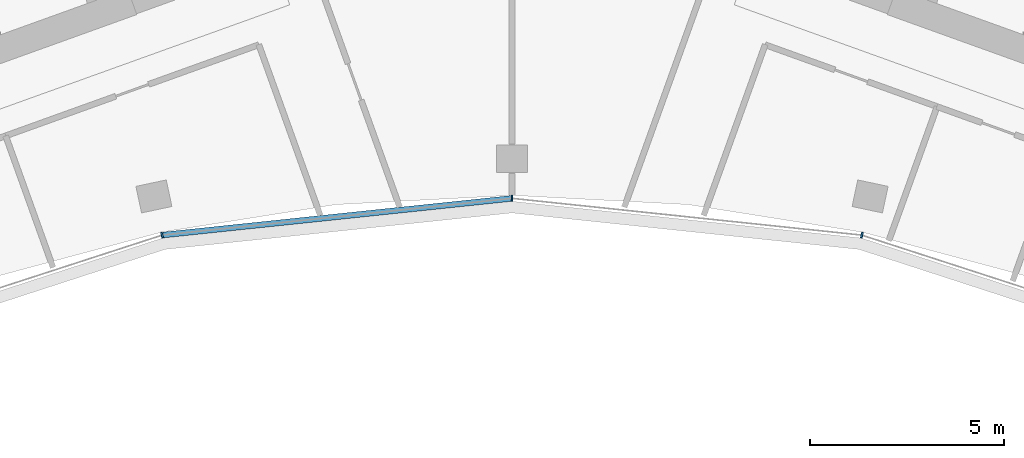
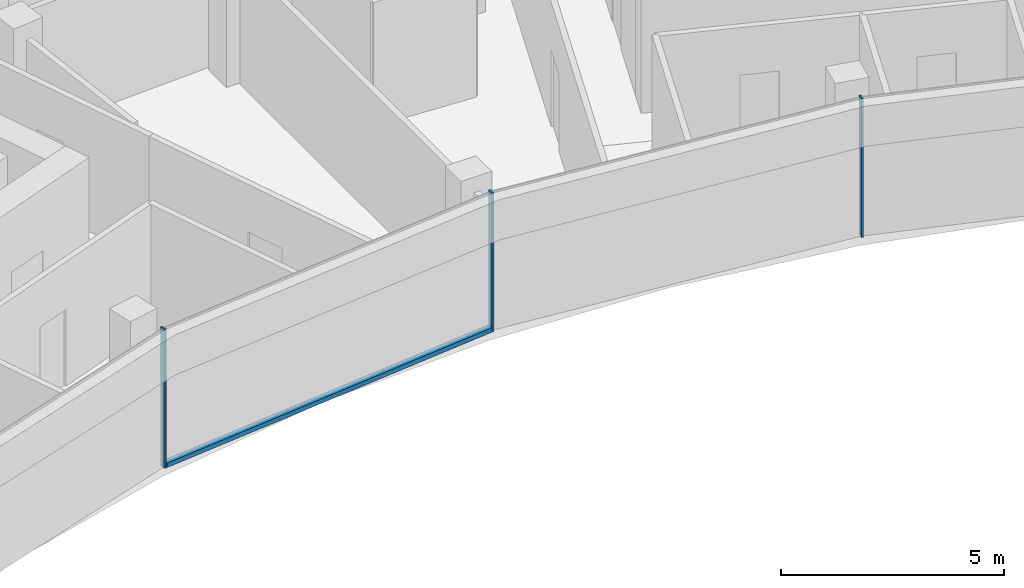
# One storey, part 5 of 19: 4 members, 1 element without a shape of its own.
"""IFC4 building model written with IfcOpenShell, lengths in metres."""

from ifc_helpers import new_model, si_unit, direction, frame, origin, origin_2d, place, context, subcontext, project, spatial, rectangle, extrude, material, layer, layer_set, material_profile, profile_set, type_object, element, aggregate, save


model = new_model("IFC4")

# Units and contexts
model_context = context("Model", 3, precision=1e-05, world=origin(), true_north=direction((0.0, 1.0)))
body_context = subcontext(model_context, "Body", "Model", "MODEL_VIEW")
ifc_project = project(units=[si_unit("LENGTHUNIT", "METRE"), si_unit("AREAUNIT", "SQUARE_METRE"), si_unit("VOLUMEUNIT", "CUBIC_METRE"), si_unit("PLANEANGLEUNIT", "RADIAN"), si_unit("MASSUNIT", "GRAM", prefix="KILO")], contexts=[model_context])

# Site, building, storey
site_placement = place(None, origin())
site = spatial("IfcSite", under=ifc_project, at=site_placement, CompositionType="ELEMENT")
building_placement = place(site_placement, origin())
building = spatial("IfcBuilding", under=site, at=building_placement, Name="Stone Belt Terrace Tower", CompositionType="ELEMENT")
storey_placement = place(building_placement, frame((0.0, 0.0, 303.60009765625)))
storey = spatial("IfcBuildingStorey", under=building, at=storey_placement, Name="L74", CompositionType="ELEMENT", Elevation=303.60009765625)

# Curtain wall, members
ifc_material = material(Name="Aluminium 6063-T6 anodised frame", Category="aluminium")
ifc_layer = layer(ifc_material, 0.14990234375)
ifc_layer_set = layer_set([ifc_layer], Name="CW-B unitised concave-face curtain wall")
curtain_wall_type = type_object("IfcCurtainWallType", Name="CW-B unitised concave-face curtain wall", PredefinedType="NOTDEFINED", material=ifc_layer_set)
curtain_wall_placement = place(storey_placement, origin())
curtain_wall = element("IfcCurtainWall", 1, at=curtain_wall_placement, inside=storey, type_object=curtain_wall_type, Name="CW-B concave face L74", PredefinedType="NOTDEFINED")
ifc_material_profile_1 = material_profile(ifc_material, rectangle(XDim=0.14990234375, YDim=0.050048828125, at=origin_2d()), Name="Aluminium 6063-T6 50x150")
ifc_profile_set_1 = profile_set([ifc_material_profile_1], Name="Aluminium 6063-T6 anodised frame")
member_type_1 = type_object("IfcMemberType", Name="CW-B mullion 50 x 150", PredefinedType="MULLION", material=ifc_profile_set_1)
member_1_placement = place(storey_placement, frame((-9.028564453125, 42.4755859375, 0.0), z_axis=(0.0, 0.0, 1.0), x_axis=(-0.207911690818, 0.978147600734, 0.0)))
member_1 = element("IfcMember", 2, at=member_1_placement, type_object=member_type_1, Name="CW-B mullion 4", PredefinedType="MULLION", context=body_context, shape_type="SweptSolid", body=[
    extrude(rectangle(XDim=0.14990234375, YDim=0.050048828125, at=origin_2d()), origin(), (0.0, 0.0, 1.0), 3.7998046875),
])
member_2_placement = place(storey_placement, frame((0.0, 43.424560546875, 0.0), z_axis=(0.0, 0.0, 1.0), x_axis=(0.0, 1.0, 0.0)))
member_2 = element("IfcMember", 3, at=member_2_placement, type_object=member_type_1, Name="CW-B mullion 5", PredefinedType="MULLION", context=body_context, shape_type="SweptSolid", body=[
    extrude(rectangle(XDim=0.14990234375, YDim=0.050048828125, at=origin_2d()), origin(), (0.0, 0.0, 1.0), 3.7998046875),
])
member_3_placement = place(storey_placement, frame((9.028564453125, 42.4755859375, 0.0), z_axis=(0.0, 0.0, 1.0), x_axis=(0.207911690818, 0.978147600734, 0.0)))
member_3 = element("IfcMember", 4, at=member_3_placement, type_object=member_type_1, Name="CW-B mullion 6", PredefinedType="MULLION", context=body_context, shape_type="SweptSolid", body=[
    extrude(rectangle(XDim=0.14990234375, YDim=0.050048828125, at=origin_2d()), origin(), (0.0, 0.0, 1.0), 3.7998046875),
])
ifc_material_profile_2 = material_profile(ifc_material, rectangle(XDim=0.14990234375, YDim=0.1201171875, at=origin_2d()), Name="Aluminium 6063-T6 150x120")
ifc_profile_set_2 = profile_set([ifc_material_profile_2], Name="Aluminium 6063-T6 anodised frame")
member_type_2 = type_object("IfcMemberType", Name="CW-B transom 120 x 150", PredefinedType="USERDEFINED", material=ifc_profile_set_2)
member_4_placement = place(storey_placement, frame((-8.995849609375, 42.47900390625, 0.059814453125), z_axis=(0.994521323407, 0.104533904969, 0.0), x_axis=(-0.104533904969, 0.994521323407, 0.0)))
member_4 = element("IfcMember", 5, at=member_4_placement, type_object=member_type_2, Name="CW-B transom 4.1", ObjectType="TRANSOM", PredefinedType="USERDEFINED", context=body_context, shape_type="SweptSolid", body=[
    extrude(rectangle(XDim=0.14990234375, YDim=0.1201171875, at=origin_2d()), origin(), (0.0, 0.0, 1.0), 9.0126953125),
])
aggregate(curtain_wall, [member_1, member_2, member_3, member_4])

save(model, "model.ifc")
